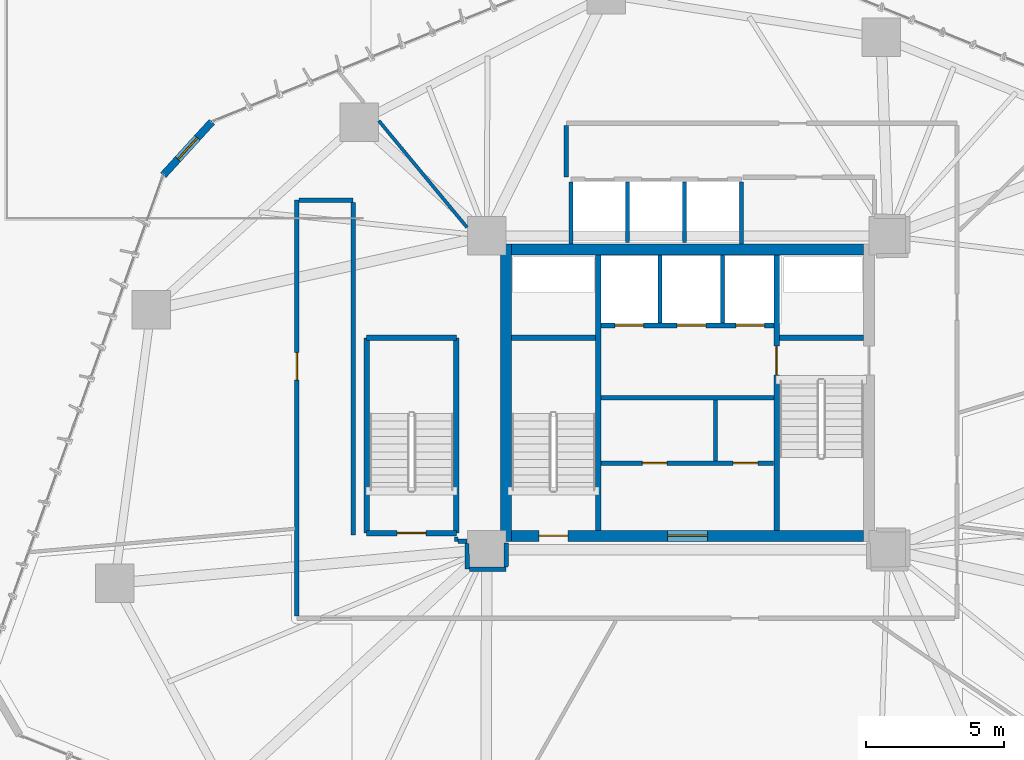
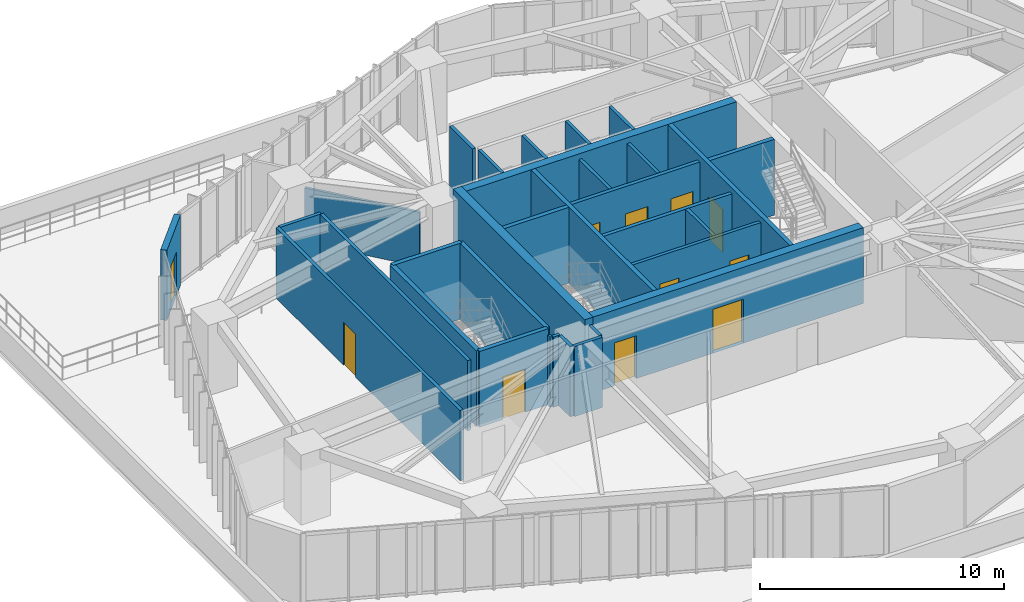
# One storey, part 18 of 23: 32 walls, 11 doors, 11 openings.
"""IFC4 building model written with IfcOpenShell, lengths in metres."""

from ifc_helpers import new_model, si_unit, direction, frame, frame_2d, origin, place, context, subcontext, project, spatial, rectangle, extrude, source, transform, mapped, material, layer, layer_set, type_object, type_shapes, element, fill, save


model = new_model("IFC4")

# Units and contexts
model_context = context("Model", 3, precision=1e-05, world=origin(), true_north=direction((0.0, 1.0)))
body_context = subcontext(model_context, "Body", "Model", "MODEL_VIEW")
ifc_project = project(units=[si_unit("LENGTHUNIT", "METRE"), si_unit("AREAUNIT", "SQUARE_METRE"), si_unit("VOLUMEUNIT", "CUBIC_METRE"), si_unit("PLANEANGLEUNIT", "RADIAN"), si_unit("MASSUNIT", "GRAM", prefix="KILO")], contexts=[model_context])

# Site, building, storey
site_placement = place(None, origin())
site = spatial("IfcSite", under=ifc_project, at=site_placement, CompositionType="ELEMENT")
building_placement = place(site_placement, origin())
building = spatial("IfcBuilding", under=site, at=building_placement, Name="Talar Marvaseh", CompositionType="ELEMENT")
storey_placement = place(building_placement, frame((0.0, 0.0, 24.0)))
storey = spatial("IfcBuildingStorey", under=building, at=storey_placement, Name="L05", CompositionType="ELEMENT", Elevation=24.0)

# Wall, opening, door
ifc_material_1 = material(Name="Precast concrete C45/55", Category="concrete")
ifc_layer_1 = layer(ifc_material_1, 0.27001953125)
ifc_layer_set_1 = layer_set([ifc_layer_1], Name="Precast concrete C45/55")
wall_type_1 = type_object("IfcWallType", Name="Chamfered Hexagonal Corner Pier Wall Z1 270", PredefinedType="SOLIDWALL", material=ifc_layer_set_1)
wall_1_placement = place(storey_placement, frame((6.94580078125, 39.1123046875, 0.0), z_axis=(0.0, 0.0, 1.0), x_axis=(0.673927231717, 0.738797730337, 0.0)))
wall_1 = element("IfcWall", 1, at=wall_1_placement, inside=storey, type_object=wall_type_1, Name="L05 Chamfered Corner Limestone Pier 2", PredefinedType="SOLIDWALL", context=body_context, shape_type="SweptSolid", body=[
    extrude(rectangle(XDim=2.623046875, YDim=0.27001953125, at=frame_2d((1.3115234375, 0.0))), origin(), (0.0, 0.0, 1.0), 3.52001953125),
])
opening_1_placement = place(wall_1_placement, frame((0.787109375, 0.0, 0.0)))
opening_1 = element("IfcOpeningElement", 2, at=opening_1_placement, cuts=wall_1, Name="Opening DR-TER10", PredefinedType="OPENING", context=body_context, shape_type="SweptSolid", body=[
    extrude(rectangle(XDim=1.050048828125, YDim=2.199951171875, at=frame_2d((0.52490234375, 1.10009765625))), frame((0.0, 0.14501953125, 0.0), z_axis=(0.0, -1.0, 0.0), x_axis=(1.0, 0.0, 0.0)), (0.0, 0.0, 1.0), 0.2900390625),
])
ifc_material_2 = material(Name="Architectural Aluminium", Category="aluminium")
door_type_1 = type_object("IfcDoorType", Name="External Terrace Weatherproof Glazed Door 1050x2200", OperationType="NOTDEFINED", PredefinedType="DOOR", material=ifc_material_2)
shared_shape_1 = source(origin(), body_context, "Body", "SweptSolid", [
    extrude(rectangle(XDim=1.050048828125, YDim=2.199951171875, at=frame_2d((0.52490234375, 1.10009765625))), frame((0.0, 0.02490234375, 0.0), z_axis=(0.0, -1.0, 0.0), x_axis=(1.0, 0.0, 0.0)), (0.0, 0.0, 1.0), 0.050048828125),
])
type_shapes(door_type_1, [shared_shape_1])
door_1_placement = place(opening_1_placement, origin())
door_1 = element("IfcDoor", 3, at=door_1_placement, inside=storey, type_object=door_type_1, Name="L05 Podium Roof Garden Terrace Access Door", OperationType="SINGLE_SWING_LEFT", OverallHeight=2.199951171875, OverallWidth=1.050048828125, PredefinedType="DOOR", context=body_context, shape_type="MappedRepresentation", body=[
    mapped(shared_shape_1, transform((0.0, 0.0, 0.0), x_axis=(1.0, 0.0, 0.0), y_axis=(0.0, 1.0, 0.0), z_axis=(0.0, 0.0, 1.0), scale=1.0)),
])
fill(opening_1, door_1)

# Wall, openings, doors
ifc_material_3 = material(Name="Gypsum Board Partition Assembly")
ifc_layer_2 = layer(ifc_material_3, 0.155029296875)
ifc_layer_set_2 = layer_set([ifc_layer_2], Name="Gypsum Board Partition Assembly")
wall_type_2 = type_object("IfcWallType", Name="Corridor Fire-Rated Acoustic Partition 155", PredefinedType="PARTITIONING", material=ifc_layer_set_2)
wall_2_placement = place(storey_placement, frame((22.865966796875, 28.639892578125, 0.0), z_axis=(0.0, 0.0, 1.0), x_axis=(1.0, 0.0, 0.0)))
wall_2 = element("IfcWall", 4, at=wall_2_placement, inside=storey, type_object=wall_type_2, Name="L05 Core BOH Partition", PredefinedType="PARTITIONING", context=body_context, shape_type="SweptSolid", body=[
    extrude(rectangle(XDim=6.26806640625, YDim=0.155029296875, at=frame_2d((3.134033203125, 0.0))), origin(), (0.0, 0.0, 1.0), 3.52001953125),
])
opening_2_placement = place(wall_2_placement, frame((1.5, 0.0, 0.0)))
opening_2 = element("IfcOpeningElement", 5, at=opening_2_placement, cuts=wall_2, Name="Opening DR-BOH090", PredefinedType="OPENING", context=body_context, shape_type="SweptSolid", body=[
    extrude(rectangle(XDim=0.89990234375, YDim=2.10009765625, at=frame_2d((0.449951171875, 1.050048828125))), frame((0.0, 0.08740234375, 0.0), z_axis=(0.0, -1.0, 0.0), x_axis=(1.0, 0.0, 0.0)), (0.0, 0.0, 1.0), 0.175048828125),
])
opening_3_placement = place(wall_2_placement, frame((4.800048828125, 0.0, 0.0)))
opening_3 = element("IfcOpeningElement", 6, at=opening_3_placement, cuts=wall_2, Name="Opening DR-BOH090", PredefinedType="OPENING", context=body_context, shape_type="SweptSolid", body=[
    extrude(rectangle(XDim=0.89990234375, YDim=2.10009765625, at=frame_2d((0.449951171875, 1.050048828125))), frame((0.0, 0.08740234375, 0.0), z_axis=(0.0, -1.0, 0.0), x_axis=(1.0, 0.0, 0.0)), (0.0, 0.0, 1.0), 0.175048828125),
])
ifc_material_4 = material(Name="Fire-Rated Steel Door Leaf", Category="steel")
door_type_2 = type_object("IfcDoorType", Name="Core Back-of-House Service Door 900x2100", OperationType="NOTDEFINED", PredefinedType="DOOR", material=ifc_material_4)
shared_shape_2 = source(origin(), body_context, "Body", "SweptSolid", [
    extrude(rectangle(XDim=0.89990234375, YDim=2.10009765625, at=frame_2d((0.449951171875, 1.050048828125))), frame((0.0, 0.02490234375, 0.0), z_axis=(0.0, -1.0, 0.0), x_axis=(1.0, 0.0, 0.0)), (0.0, 0.0, 1.0), 0.050048828125),
])
type_shapes(door_type_2, [shared_shape_2])
door_2_placement = place(opening_2_placement, origin())
door_2 = element("IfcDoor", 7, at=door_2_placement, inside=storey, type_object=door_type_2, Name="L05 Plant Core Comms Switch Room Door", OperationType="SINGLE_SWING_LEFT", OverallHeight=2.10009765625, OverallWidth=0.89990234375, PredefinedType="DOOR", context=body_context, shape_type="MappedRepresentation", body=[
    mapped(shared_shape_2, transform((0.0, 0.0, 0.0), x_axis=(1.0, 0.0, 0.0), y_axis=(0.0, 1.0, 0.0), z_axis=(0.0, 0.0, 1.0), scale=1.0)),
])
fill(opening_2, door_2)
door_3_placement = place(opening_3_placement, origin())
door_3 = element("IfcDoor", 8, at=door_3_placement, inside=storey, type_object=door_type_2, Name="L05 Cleaner Cupboard Door", OperationType="SINGLE_SWING_RIGHT", OverallHeight=2.10009765625, OverallWidth=0.89990234375, PredefinedType="DOOR", context=body_context, shape_type="MappedRepresentation", body=[
    mapped(shared_shape_2, transform((0.0, 0.0, 0.0), x_axis=(1.0, 0.0, 0.0), y_axis=(0.0, 1.0, 0.0), z_axis=(0.0, 0.0, 1.0), scale=1.0)),
])
fill(opening_3, door_3)

# Wall
wall_3_placement = place(storey_placement, frame((27.02001953125, 28.719970703125, 0.0), z_axis=(0.0, 0.0, 1.0), x_axis=(0.0, 1.0, 0.0)))
element("IfcWall", 9, at=wall_3_placement, inside=storey, type_object=wall_type_2, Name="L05 Core BOH Partition", PredefinedType="PARTITIONING", context=body_context, shape_type="SweptSolid", body=[
    extrude(rectangle(XDim=2.219970703125, YDim=0.155029296875, at=frame_2d((1.10986328125, 0.0))), origin(), (0.0, 0.0, 1.0), 3.52001953125),
])

# Wall, opening, door
wall_4_placement = place(storey_placement, frame((11.800048828125, 23.08349609375, 0.0), z_axis=(0.0, 0.0, 1.0), x_axis=(0.0, 1.0, 0.0)))
wall_4 = element("IfcWall", 10, at=wall_4_placement, inside=storey, type_object=wall_type_2, Name="L05 Interior Partition Wall", PredefinedType="PARTITIONING", context=body_context, shape_type="SweptSolid", body=[
    extrude(rectangle(XDim=15.116455078125, YDim=0.155029296875, at=frame_2d((7.55810546875, 0.0))), origin(), (0.0, 0.0, 1.0), 3.52001953125),
])
opening_4_placement = place(wall_4_placement, frame((8.5751953125, 0.0, 0.0)))
opening_4 = element("IfcOpeningElement", 11, at=opening_4_placement, cuts=wall_4, Name="Opening DR-RM100", PredefinedType="OPENING", context=body_context, shape_type="SweptSolid", body=[
    extrude(rectangle(XDim=1.0, YDim=2.14990234375, at=frame_2d((0.5, 1.074951171875))), frame((0.0, 0.08740234375, 0.0), z_axis=(0.0, -1.0, 0.0), x_axis=(1.0, 0.0, 0.0)), (0.0, 0.0, 1.0), 0.175048828125),
])
ifc_material_5 = material(Name="Acoustic Engineered Oak Timber", Category="wood")
door_type_3 = type_object("IfcDoorType", Name="Corridor Fire-Rated Gallery Door 1000x2150", OperationType="NOTDEFINED", PredefinedType="DOOR", material=ifc_material_5)
shared_shape_3 = source(origin(), body_context, "Body", "SweptSolid", [
    extrude(rectangle(XDim=1.0, YDim=2.14990234375, at=frame_2d((0.5, 1.074951171875))), frame((0.0, 0.02490234375, 0.0), z_axis=(0.0, -1.0, 0.0), x_axis=(1.0, 0.0, 0.0)), (0.0, 0.0, 1.0), 0.050048828125),
])
type_shapes(door_type_3, [shared_shape_3])
door_4_placement = place(opening_4_placement, origin())
door_4 = element("IfcDoor", 12, at=door_4_placement, inside=storey, type_object=door_type_3, Name="L05 Cultural Fellowship Office Door", OperationType="SINGLE_SWING_LEFT", OverallHeight=2.14990234375, OverallWidth=1.0, PredefinedType="DOOR", context=body_context, shape_type="MappedRepresentation", body=[
    mapped(shared_shape_3, transform((0.0, 0.0, 0.0), x_axis=(1.0, 0.0, 0.0), y_axis=(0.0, 1.0, 0.0), z_axis=(0.0, 0.0, 1.0), scale=1.0)),
])
fill(opening_4, door_4)

# Walls
wall_5_placement = place(storey_placement, frame((11.883544921875, 38.199951171875, 0.0), z_axis=(0.0, 0.0, 1.0), x_axis=(1.0, 0.0, 0.0)))
element("IfcWall", 13, at=wall_5_placement, inside=storey, type_object=wall_type_2, Name="L05 Interior Partition Wall", PredefinedType="PARTITIONING", context=body_context, shape_type="SweptSolid", body=[
    extrude(rectangle(XDim=1.966552734375, YDim=0.155029296875, at=frame_2d((0.9833984375, 0.0))), origin(), (0.0, 0.0, 1.0), 3.52001953125),
])
wall_6_placement = place(storey_placement, frame((13.85009765625, 38.116455078125, 0.0), z_axis=(0.0, 0.0, 1.0), x_axis=(0.0, -1.0, 0.0)))
element("IfcWall", 14, at=wall_6_placement, inside=storey, type_object=wall_type_2, Name="L05 Interior Partition Wall", PredefinedType="PARTITIONING", context=body_context, shape_type="SweptSolid", body=[
    extrude(rectangle(XDim=12.096435546875, YDim=0.155029296875, at=frame_2d((6.04833984375, 0.0))), origin(), (0.0, 0.0, 1.0), 3.52001953125),
])
wall_7_placement = place(storey_placement, frame((17.666015625, 25.800048828125, 0.0), z_axis=(0.0, 0.0, 1.0), x_axis=(1.0, 0.0, 0.0)))
element("IfcWall", 15, at=wall_7_placement, inside=storey, type_object=wall_type_2, Name="L05 Interior Partition Wall", PredefinedType="PARTITIONING", context=body_context, shape_type="SweptSolid", body=[
    extrude(rectangle(XDim=0.319091796875, YDim=0.155029296875, at=frame_2d((0.15966796875, 0.0))), origin(), (0.0, 0.0, 1.0), 3.52001953125),
])
wall_8_placement = place(storey_placement, frame((17.986083984375, 25.716552734375, 0.0), z_axis=(0.0, 0.0, 1.0), x_axis=(0.013367088724, -0.999910656478, 0.0)))
element("IfcWall", 16, at=wall_8_placement, inside=storey, type_object=wall_type_2, Name="L05 Interior Partition Wall", PredefinedType="PARTITIONING", context=body_context, shape_type="SweptSolid", body=[
    extrude(rectangle(XDim=0.931396484375, YDim=0.155029296875, at=frame_2d((0.4658203125, 0.0))), origin(), (0.0, 0.0, 1.0), 3.52001953125),
])
wall_9_placement = place(storey_placement, frame((18.08203125, 24.78515625, 0.0), z_axis=(0.0, 0.0, 1.0), x_axis=(0.99999830547, 0.001840939443, 0.0)))
element("IfcWall", 17, at=wall_9_placement, inside=storey, type_object=wall_type_2, Name="L05 Interior Partition Wall", PredefinedType="PARTITIONING", context=body_context, shape_type="SweptSolid", body=[
    extrude(rectangle(XDim=1.326171875, YDim=0.155029296875, at=frame_2d((0.6630859375, 0.0))), origin(), (0.0, 0.0, 1.0), 3.52001953125),
])
wall_10_placement = place(storey_placement, frame((19.408935546875, 24.87109375, 0.0), z_axis=(0.0, 0.0, 1.0), x_axis=(0.007106130977, 0.999974751133, 0.0)))
element("IfcWall", 18, at=wall_10_placement, inside=storey, type_object=wall_type_2, Name="L05 Interior Partition Wall", PredefinedType="PARTITIONING", context=body_context, shape_type="SweptSolid", body=[
    extrude(rectangle(XDim=0.85888671875, YDim=0.155029296875, at=frame_2d((0.429443359375, 0.0))), origin(), (0.0, 0.0, 1.0), 3.52001953125),
])
wall_11_placement = place(storey_placement, frame((21.60009765625, 39.0400390625, 0.0), z_axis=(0.0, 0.0, 1.0), x_axis=(0.0, 1.0, 0.0)))
element("IfcWall", 19, at=wall_11_placement, inside=storey, type_object=wall_type_2, Name="L05 Interior Partition Wall", PredefinedType="PARTITIONING", context=body_context, shape_type="SweptSolid", body=[
    extrude(rectangle(XDim=1.87646484375, YDim=0.155029296875, at=frame_2d((0.938232421875, 0.0))), origin(), (0.0, 0.0, 1.0), 3.52001953125),
])
ifc_layer_3 = layer(ifc_material_3, 0.1201171875)
ifc_layer_set_3 = layer_set([ifc_layer_3], Name="Gypsum Board Partition Assembly")
wall_type_3 = type_object("IfcWallType", Name="Demountable Studio Room Partition 120", PredefinedType="PARTITIONING", material=ifc_layer_set_3)
wall_12_placement = place(storey_placement, frame((17.60009765625, 25.96240234375, 0.0), z_axis=(0.0, 0.0, 1.0), x_axis=(0.0, -1.0, 0.0)))
element("IfcWall", 20, at=wall_12_placement, inside=storey, type_object=wall_type_3, Name="L05 Interior Partition Wall", PredefinedType="PARTITIONING", context=body_context, shape_type="SweptSolid", body=[
    extrude(rectangle(XDim=0.1748046875, YDim=0.1201171875, at=frame_2d((0.08740234375, 0.0))), origin(), (0.0, 0.0, 1.0), 3.52001953125),
])
wall_13_placement = place(storey_placement, frame((17.989990234375, 37.2099609375, 0.0), z_axis=(0.0, 0.0, 1.0), x_axis=(-0.63742879538, 0.770509267187, 0.0)))
element("IfcWall", 21, at=wall_13_placement, inside=storey, type_object=wall_type_3, Name="L05 Interior Partition Wall", PredefinedType="PARTITIONING", context=body_context, shape_type="SweptSolid", body=[
    extrude(rectangle(XDim=5.035888671875, YDim=0.1201171875, at=frame_2d((2.51806640625, 0.0))), origin(), (0.0, 0.0, 1.0), 2.721923828125),
])
ifc_layer_4 = layer(ifc_material_1, 0.14501953125)
ifc_layer_set_4 = layer_set([ifc_layer_4], Name="Precast concrete C45/55")
wall_type_4 = type_object("IfcWallType", Name="Fire-Rated Lift Divider Wall 145", PredefinedType="SOLIDWALL", material=ifc_layer_set_4)
for number, where, z_axis, x_axis, name in (
    (22, (25.0, 33.743408203125, 0.0), (0.0, 0.0, 1.0), (0.0, 1.0, 0.0), "L05 FFL-1/FFL-2 Divider"),
    (23, (27.280029296875, 33.743408203125, 0.0), (0.0, 0.0, 1.0), (0.0, 1.0, 0.0), "L05 FFL-2/SVL-1 Divider"),
):
    element("IfcWall", number, at=place(storey_placement, frame(where, z_axis=z_axis, x_axis=x_axis)), inside=storey, type_object=wall_type_4, Name=name, PredefinedType="SOLIDWALL", context=body_context, shape_type="SweptSolid", body=[
        extrude(rectangle(XDim=2.45654296875, YDim=0.14501953125, at=frame_2d((1.228271484375, 0.0))), origin(), (0.0, 0.0, 1.0), 3.52001953125),
    ])
for number, where, z_axis, x_axis, name in (
    (24, (21.760009765625, 36.60009765625, 0.0), (0.0, 0.0, 1.0), (0.0, 1.0, 0.0), "L05 Low-Rise Bank West Wall"),
    (25, (27.9599609375, 36.60009765625, 0.0), (0.0, 0.0, 1.0), (0.0, 1.0, 0.0), "L05 Low-Rise Bank East Wall"),
):
    element("IfcWall", number, at=place(storey_placement, frame(where, z_axis=z_axis, x_axis=x_axis)), inside=storey, type_object=wall_type_4, Name=name, PredefinedType="SOLIDWALL", context=body_context, shape_type="SweptSolid", body=[
        extrude(rectangle(XDim=2.266357421875, YDim=0.14501953125, at=frame_2d((1.13330078125, 0.0))), origin(), (0.0, 0.0, 1.0), 3.52001953125),
    ])
for number, where, z_axis, x_axis, name in (
    (26, (23.830078125, 36.659912109375, 0.0), (0.0, 0.0, 1.0), (0.0, 1.0, 0.0), "L05 PL-L1/PL-L2 Divider"),
    (27, (25.889892578125, 36.659912109375, 0.0), (0.0, 0.0, 1.0), (0.0, 1.0, 0.0), "L05 PL-L2/PL-L3 Divider"),
):
    element("IfcWall", number, at=place(storey_placement, frame(where, z_axis=z_axis, x_axis=x_axis)), inside=storey, type_object=wall_type_4, Name=name, PredefinedType="SOLIDWALL", context=body_context, shape_type="SweptSolid", body=[
        extrude(rectangle(XDim=2.20654296875, YDim=0.14501953125, at=frame_2d((1.103271484375, 0.0))), origin(), (0.0, 0.0, 1.0), 3.52001953125),
    ])

# Wall, openings, doors
ifc_layer_5 = layer(ifc_material_1, 0.175048828125)
ifc_layer_set_5 = layer_set([ifc_layer_5], Name="Precast concrete C45/55")
wall_type_5 = type_object("IfcWallType", Name="Fire-Rated Lift Hoistway Enclosure Wall 175", PredefinedType="SOLIDWALL", material=ifc_layer_set_5)
wall_14_placement = place(storey_placement, frame((22.860107421875, 33.64990234375, 0.0), z_axis=(0.0, 0.0, 1.0), x_axis=(1.0, 0.0, 0.0)))
wall_14 = element("IfcWall", 28, at=wall_14_placement, inside=storey, type_object=wall_type_5, Name="L05 Firefighting and Service Lift Front Wall", PredefinedType="SOLIDWALL", context=body_context, shape_type="SweptSolid", body=[
    extrude(rectangle(XDim=6.27978515625, YDim=0.175048828125, at=frame_2d((3.139892578125, 0.0))), origin(), (0.0, 0.0, 1.0), 3.52001953125),
])
opening_5_placement = place(wall_14_placement, frame((0.5, 0.0, 0.0)))
opening_5 = element("IfcOpeningElement", 29, at=opening_5_placement, cuts=wall_14, Name="Opening LD-FF1", PredefinedType="OPENING", context=body_context, shape_type="SweptSolid", body=[
    extrude(rectangle(XDim=1.050048828125, YDim=2.14990234375, at=frame_2d((0.52490234375, 1.074951171875))), frame((0.0, 0.09765625, 0.0), z_axis=(0.0, -1.0, 0.0), x_axis=(1.0, 0.0, 0.0)), (0.0, 0.0, 1.0), 0.195068359375),
])
opening_6_placement = place(wall_14_placement, frame((2.760009765625, 0.0, 0.0)))
opening_6 = element("IfcOpeningElement", 30, at=opening_6_placement, cuts=wall_14, Name="Opening LD-FF2", PredefinedType="OPENING", context=body_context, shape_type="SweptSolid", body=[
    extrude(rectangle(XDim=1.050048828125, YDim=2.14990234375, at=frame_2d((0.52490234375, 1.074951171875))), frame((0.0, 0.09765625, 0.0), z_axis=(0.0, -1.0, 0.0), x_axis=(1.0, 0.0, 0.0)), (0.0, 0.0, 1.0), 0.195068359375),
])
opening_7_placement = place(wall_14_placement, frame((4.89990234375, 0.0, 0.0)))
opening_7 = element("IfcOpeningElement", 31, at=opening_7_placement, cuts=wall_14, Name="Opening LD-SV1", PredefinedType="OPENING", context=body_context, shape_type="SweptSolid", body=[
    extrude(rectangle(XDim=1.050048828125, YDim=2.14990234375, at=frame_2d((0.52490234375, 1.074951171875))), frame((0.0, 0.09765625, 0.0), z_axis=(0.0, -1.0, 0.0), x_axis=(1.0, 0.0, 0.0)), (0.0, 0.0, 1.0), 0.195068359375),
])
ifc_material_6 = material(Name="Stainless Steel Grade 316", Category="steel")
door_type_4 = type_object("IfcDoorType", Name="Automatic Sliding Lift Landing Door 1050x2150", OperationType="NOTDEFINED", PredefinedType="DOOR", material=ifc_material_6)
shared_shape_4 = source(origin(), body_context, "Body", "SweptSolid", [
    extrude(rectangle(XDim=1.050048828125, YDim=2.14990234375, at=frame_2d((0.52490234375, 1.074951171875))), frame((0.0, 0.02490234375, 0.0), z_axis=(0.0, -1.0, 0.0), x_axis=(1.0, 0.0, 0.0)), (0.0, 0.0, 1.0), 0.050048828125),
])
type_shapes(door_type_4, [shared_shape_4])
door_5_placement = place(opening_5_placement, origin())
door_5 = element("IfcDoor", 32, at=door_5_placement, inside=storey, type_object=door_type_4, Name="L05 Lift FFL-1 Sliding Landing Door", OperationType="SLIDING_TO_LEFT", OverallHeight=2.14990234375, OverallWidth=1.050048828125, PredefinedType="DOOR", context=body_context, shape_type="MappedRepresentation", body=[
    mapped(shared_shape_4, transform((0.0, 0.0, 0.0), x_axis=(1.0, 0.0, 0.0), y_axis=(0.0, 1.0, 0.0), z_axis=(0.0, 0.0, 1.0), scale=1.0)),
])
fill(opening_5, door_5)
door_6_placement = place(opening_6_placement, origin())
door_6 = element("IfcDoor", 33, at=door_6_placement, inside=storey, type_object=door_type_4, Name="L05 Lift FFL-2 Sliding Landing Door", OperationType="SLIDING_TO_LEFT", OverallHeight=2.14990234375, OverallWidth=1.050048828125, PredefinedType="DOOR", context=body_context, shape_type="MappedRepresentation", body=[
    mapped(shared_shape_4, transform((0.0, 0.0, 0.0), x_axis=(1.0, 0.0, 0.0), y_axis=(0.0, 1.0, 0.0), z_axis=(0.0, 0.0, 1.0), scale=1.0)),
])
fill(opening_6, door_6)
door_7_placement = place(opening_7_placement, origin())
door_7 = element("IfcDoor", 34, at=door_7_placement, inside=storey, type_object=door_type_4, Name="L05 Lift SVL-1 Sliding Landing Door", OperationType="SLIDING_TO_LEFT", OverallHeight=2.14990234375, OverallWidth=1.050048828125, PredefinedType="DOOR", context=body_context, shape_type="MappedRepresentation", body=[
    mapped(shared_shape_4, transform((0.0, 0.0, 0.0), x_axis=(1.0, 0.0, 0.0), y_axis=(0.0, 1.0, 0.0), z_axis=(0.0, 0.0, 1.0), scale=1.0)),
])
fill(opening_7, door_7)

# Walls
wall_15_placement = place(storey_placement, frame((22.860107421875, 31.02001953125, 0.0), z_axis=(0.0, 0.0, 1.0), x_axis=(1.0, 0.0, 0.0)))
element("IfcWall", 35, at=wall_15_placement, inside=storey, type_object=wall_type_5, Name="L05 Firefighting Lobby South Smoke Wall", PredefinedType="SOLIDWALL", context=body_context, shape_type="SweptSolid", body=[
    extrude(rectangle(XDim=6.27978515625, YDim=0.175048828125, at=frame_2d((3.139892578125, 0.0))), origin(), (0.0, 0.0, 1.0), 3.52001953125),
])
ifc_material_7 = material(Name="Concrete C70/85", Category="concrete")
ifc_layer_6 = layer(ifc_material_7, 0.39990234375)
ifc_layer_set_6 = layer_set([ifc_layer_6], Name="Concrete C70/85")
wall_type_6 = type_object("IfcWallType", Name="Lower Core Reinforced Concrete Shear Wall 400", PredefinedType="SHEAR", material=ifc_layer_set_6)
wall_16_placement = place(storey_placement, frame((19.39990234375, 25.800048828125, 0.0), z_axis=(0.0, 0.0, 1.0), x_axis=(0.0, 1.0, 0.0)))
element("IfcWall", 36, at=wall_16_placement, inside=storey, type_object=wall_type_6, Name="L05 West Core Shear Wall", PredefinedType="SHEAR", context=body_context, shape_type="SweptSolid", body=[
    extrude(rectangle(XDim=10.800048828125, YDim=0.39990234375, at=frame_2d((5.39990234375, 0.0))), origin(), (0.0, 0.0, 1.0), 3.800048828125),
])
wall_17_placement = place(storey_placement, frame((19.60009765625, 36.39990234375, 0.0), z_axis=(0.0, 0.0, 1.0), x_axis=(1.0, 0.0, 0.0)))
element("IfcWall", 37, at=wall_17_placement, inside=storey, type_object=wall_type_6, Name="L05 North Core Shear Wall", PredefinedType="SHEAR", context=body_context, shape_type="SweptSolid", body=[
    extrude(rectangle(XDim=12.7998046875, YDim=0.39990234375, at=frame_2d((6.39990234375, 0.0))), origin(), (0.0, 0.0, 1.0), 3.800048828125),
])

# Wall, openings, doors
wall_18_placement = place(storey_placement, frame((32.39990234375, 26.0, 0.0), z_axis=(0.0, 0.0, 1.0), x_axis=(-1.0, 0.0, 0.0)))
wall_18 = element("IfcWall", 38, at=wall_18_placement, inside=storey, type_object=wall_type_6, Name="L05 South Core Shear Wall", PredefinedType="SHEAR", context=body_context, shape_type="SweptSolid", body=[
    extrude(rectangle(XDim=12.7998046875, YDim=0.39990234375, at=frame_2d((6.39990234375, 0.0))), origin(), (0.0, 0.0, 1.0), 3.800048828125),
])
opening_8_placement = place(wall_18_placement, frame((10.75, 0.0, 0.0)))
opening_8 = element("IfcOpeningElement", 39, at=opening_8_placement, cuts=wall_18, Name="Opening DR-ST105", PredefinedType="OPENING", context=body_context, shape_type="SweptSolid", body=[
    extrude(rectangle(XDim=1.050048828125, YDim=2.14990234375, at=frame_2d((0.52490234375, 1.074951171875))), frame((0.0, 0.2099609375, 0.0), z_axis=(0.0, -1.0, 0.0), x_axis=(1.0, 0.0, 0.0)), (0.0, 0.0, 1.0), 0.419921875),
])
opening_9_placement = place(wall_18_placement, frame((5.669921875, 0.0, 0.0)))
opening_9 = element("IfcOpeningElement", 40, at=opening_9_placement, cuts=wall_18, Name="Opening DR-LBY145", PredefinedType="OPENING", context=body_context, shape_type="SweptSolid", body=[
    extrude(rectangle(XDim=1.449951171875, YDim=2.199951171875, at=frame_2d((0.72509765625, 1.10009765625))), frame((0.0, 0.2099609375, 0.0), z_axis=(0.0, -1.0, 0.0), x_axis=(1.0, 0.0, 0.0)), (0.0, 0.0, 1.0), 0.419921875),
])
door_type_5 = type_object("IfcDoorType", Name="Protected Exit Stair Fire Door 1050x2150", OperationType="NOTDEFINED", PredefinedType="DOOR", material=ifc_material_4)
shared_shape_5 = source(origin(), body_context, "Body", "SweptSolid", [
    extrude(rectangle(XDim=1.050048828125, YDim=2.14990234375, at=frame_2d((0.52490234375, 1.074951171875))), frame((0.0, 0.02490234375, 0.0), z_axis=(0.0, -1.0, 0.0), x_axis=(1.0, 0.0, 0.0)), (0.0, 0.0, 1.0), 0.050048828125),
])
type_shapes(door_type_5, [shared_shape_5])
door_8_placement = place(opening_8_placement, origin())
door_8 = element("IfcDoor", 41, at=door_8_placement, inside=storey, type_object=door_type_5, Name="L05 Stair ST-1 Exit Door", OperationType="SINGLE_SWING_RIGHT", OverallHeight=2.14990234375, OverallWidth=1.050048828125, PredefinedType="DOOR", context=body_context, shape_type="MappedRepresentation", body=[
    mapped(shared_shape_5, transform((0.0, 0.0, 0.0), x_axis=(1.0, 0.0, 0.0), y_axis=(0.0, 1.0, 0.0), z_axis=(0.0, 0.0, 1.0), scale=1.0)),
])
fill(opening_8, door_8)
door_type_6 = type_object("IfcDoorType", Name="Core Lift Lobby Double Smoke Door 1450x2200", OperationType="NOTDEFINED", PredefinedType="DOOR", material=ifc_material_4)
shared_shape_6 = source(origin(), body_context, "Body", "SweptSolid", [
    extrude(rectangle(XDim=1.449951171875, YDim=2.199951171875, at=frame_2d((0.72509765625, 1.10009765625))), frame((0.0, 0.02490234375, 0.0), z_axis=(0.0, -1.0, 0.0), x_axis=(1.0, 0.0, 0.0)), (0.0, 0.0, 1.0), 0.050048828125),
])
type_shapes(door_type_6, [shared_shape_6])
door_9_placement = place(opening_9_placement, origin())
door_9 = element("IfcDoor", 42, at=door_9_placement, inside=storey, type_object=door_type_6, Name="L05 Passenger Lift Lobby Entrance Door", OperationType="DOUBLE_DOOR_SINGLE_SWING", OverallHeight=2.199951171875, OverallWidth=1.449951171875, PredefinedType="DOOR", context=body_context, shape_type="MappedRepresentation", body=[
    mapped(shared_shape_6, transform((0.0, 0.0, 0.0), x_axis=(1.0, 0.0, 0.0), y_axis=(0.0, 1.0, 0.0), z_axis=(0.0, 0.0, 1.0), scale=1.0)),
])
fill(opening_9, door_9)

# Wall
ifc_material_8 = material(Name="Concrete C50/60", Category="concrete")
ifc_layer_7 = layer(ifc_material_8, 0.199951171875)
ifc_layer_set_7 = layer_set([ifc_layer_7], Name="Concrete C50/60")
wall_type_7 = type_object("IfcWallType", Name="Stair Shaft Structural Concrete Shear Wall 200", PredefinedType="SHEAR", material=ifc_layer_set_7)
wall_19_placement = place(storey_placement, frame((22.760009765625, 26.199951171875, 0.0), z_axis=(0.0, 0.0, 1.0), x_axis=(0.0, 1.0, 0.0)))
element("IfcWall", 43, at=wall_19_placement, inside=storey, type_object=wall_type_7, Name="L05 Core West Stair Shear Wall", PredefinedType="SHEAR", context=body_context, shape_type="SweptSolid", body=[
    extrude(rectangle(XDim=10.0, YDim=0.199951171875, at=frame_2d((5.0, 0.0))), origin(), (0.0, 0.0, 1.0), 3.800048828125),
])

# Wall, opening, door
wall_20_placement = place(storey_placement, frame((29.239990234375, 26.199951171875, 0.0), z_axis=(0.0, 0.0, 1.0), x_axis=(0.0, 1.0, 0.0)))
wall_20 = element("IfcWall", 44, at=wall_20_placement, inside=storey, type_object=wall_type_7, Name="L05 Core East Stair Shear Wall", PredefinedType="SHEAR", context=body_context, shape_type="SweptSolid", body=[
    extrude(rectangle(XDim=10.0, YDim=0.199951171875, at=frame_2d((5.0, 0.0))), origin(), (0.0, 0.0, 1.0), 3.800048828125),
])
opening_10_placement = place(wall_20_placement, frame((5.64990234375, 0.0, 0.0)))
opening_10 = element("IfcOpeningElement", 45, at=opening_10_placement, cuts=wall_20, Name="Opening DR-ST105", PredefinedType="OPENING", context=body_context, shape_type="SweptSolid", body=[
    extrude(rectangle(XDim=1.050048828125, YDim=2.14990234375, at=frame_2d((0.52490234375, 1.074951171875))), frame((0.0, 0.10986328125, 0.0), z_axis=(0.0, -1.0, 0.0), x_axis=(1.0, 0.0, 0.0)), (0.0, 0.0, 1.0), 0.219970703125),
])
door_10_placement = place(opening_10_placement, origin())
door_10 = element("IfcDoor", 46, at=door_10_placement, inside=storey, type_object=door_type_5, Name="L05 Firefighting Lobby to Stair ST-2 Door", OperationType="SINGLE_SWING_LEFT", OverallHeight=2.14990234375, OverallWidth=1.050048828125, PredefinedType="DOOR", context=body_context, shape_type="MappedRepresentation", body=[
    mapped(shared_shape_5, transform((0.0, 0.0, 0.0), x_axis=(1.0, 0.0, 0.0), y_axis=(0.0, 1.0, 0.0), z_axis=(0.0, 0.0, 1.0), scale=1.0)),
])
fill(opening_10, door_10)

# Walls
for number, where, z_axis, x_axis, name in (
    (47, (19.60009765625, 33.199951171875, 0.0), (0.0, 0.0, 1.0), (1.0, 0.0, 0.0), "L05 Stair ST-1 North Shear Wall"),
    (48, (29.340087890625, 33.199951171875, 0.0), (0.0, 0.0, 1.0), (1.0, 0.0, 0.0), "L05 Stair ST-2 North Shear Wall"),
):
    element("IfcWall", number, at=place(storey_placement, frame(where, z_axis=z_axis, x_axis=x_axis)), inside=storey, type_object=wall_type_7, Name=name, PredefinedType="SHEAR", context=body_context, shape_type="SweptSolid", body=[
        extrude(rectangle(XDim=3.059814453125, YDim=0.199951171875, at=frame_2d((1.52978515625, 0.0))), origin(), (0.0, 0.0, 1.0), 3.800048828125),
    ])

# Wall, opening, door
wall_21_placement = place(storey_placement, frame((17.60009765625, 26.10009765625, 0.0), z_axis=(0.0, 0.0, 1.0), x_axis=(-1.0, 0.0, 0.0)))
wall_21 = element("IfcWall", 49, at=wall_21_placement, inside=storey, type_object=wall_type_7, Name="L05 Stair ST-3 South Shear Wall", PredefinedType="SHEAR", context=body_context, shape_type="SweptSolid", body=[
    extrude(rectangle(XDim=3.260009765625, YDim=0.199951171875, at=frame_2d((1.6298828125, 0.0))), origin(), (0.0, 0.0, 1.0), 3.800048828125),
])
opening_11_placement = place(wall_21_placement, frame((1.10009765625, 0.0, 0.0)))
opening_11 = element("IfcOpeningElement", 50, at=opening_11_placement, cuts=wall_21, Name="Opening DR-ST105", PredefinedType="OPENING", context=body_context, shape_type="SweptSolid", body=[
    extrude(rectangle(XDim=1.050048828125, YDim=2.14990234375, at=frame_2d((0.52490234375, 1.074951171875))), frame((0.0, 0.10986328125, 0.0), z_axis=(0.0, -1.0, 0.0), x_axis=(1.0, 0.0, 0.0)), (0.0, 0.0, 1.0), 0.219970703125),
])
door_11_placement = place(opening_11_placement, origin())
door_11 = element("IfcDoor", 51, at=door_11_placement, inside=storey, type_object=door_type_5, Name="L05 Stair ST-3 Exit Door", OperationType="SINGLE_SWING_LEFT", OverallHeight=2.14990234375, OverallWidth=1.050048828125, PredefinedType="DOOR", context=body_context, shape_type="MappedRepresentation", body=[
    mapped(shared_shape_5, transform((0.0, 0.0, 0.0), x_axis=(1.0, 0.0, 0.0), y_axis=(0.0, 1.0, 0.0), z_axis=(0.0, 0.0, 1.0), scale=1.0)),
])
fill(opening_11, door_11)

# Walls
wall_22_placement = place(storey_placement, frame((14.340087890625, 33.199951171875, 0.0), z_axis=(0.0, 0.0, 1.0), x_axis=(1.0, 0.0, 0.0)))
element("IfcWall", 52, at=wall_22_placement, inside=storey, type_object=wall_type_7, Name="L05 Stair ST-3 North Shear Wall", PredefinedType="SHEAR", context=body_context, shape_type="SweptSolid", body=[
    extrude(rectangle(XDim=3.260009765625, YDim=0.199951171875, at=frame_2d((1.6298828125, 0.0))), origin(), (0.0, 0.0, 1.0), 3.800048828125),
])
for number, where, z_axis, x_axis, name in (
    (53, (14.340087890625, 26.10009765625, 0.0), (0.0, 0.0, 1.0), (0.0, 1.0, 0.0), "L05 Stair ST-3 West Shear Wall"),
    (54, (17.60009765625, 26.10009765625, 0.0), (0.0, 0.0, 1.0), (0.0, 1.0, 0.0), "L05 Stair ST-3 East Shear Wall"),
):
    element("IfcWall", number, at=place(storey_placement, frame(where, z_axis=z_axis, x_axis=x_axis)), inside=storey, type_object=wall_type_7, Name=name, PredefinedType="SHEAR", context=body_context, shape_type="SweptSolid", body=[
        extrude(rectangle(XDim=7.099853515625, YDim=0.199951171875, at=frame_2d((3.5498046875, 0.0))), origin(), (0.0, 0.0, 1.0), 3.800048828125),
    ])

save(model, "model.ifc")
